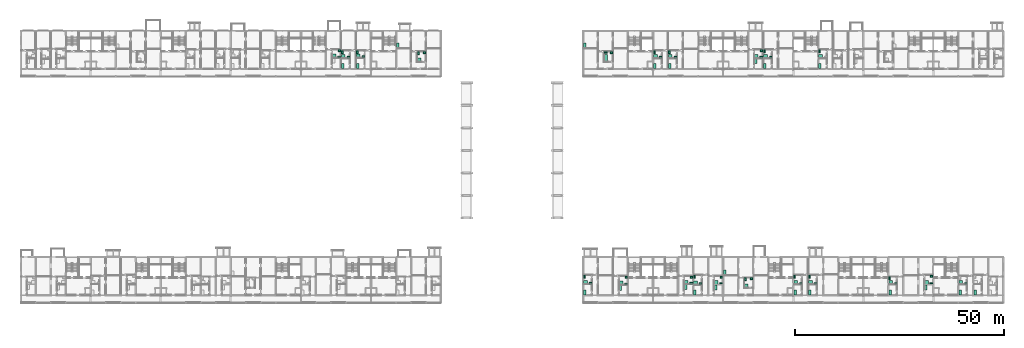
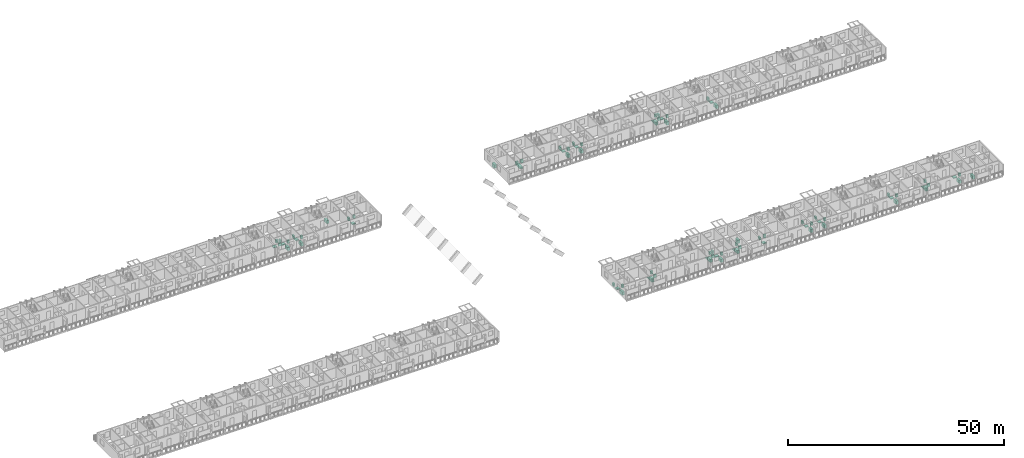
# One storey, part 97 of 98: 82 sanitary terminals.
"""IFC4 building model written with IfcOpenShell, lengths in metres."""

import ifcopenshell
import ifcopenshell.guid

model = None  # the IFC model being written
_history = None  # IfcOwnerHistory: only IFC2X3 demands one
_inside = {}  # id of a spatial element -> (the spatial element, [elements in it])
_under = {}  # id of a project, library or spatial element -> (it, [spatial elements below it])
_declared = {}  # id of a project -> (the project, [libraries it declares])
_typed = {}  # id of a type object -> (the type object, [elements of that type])
_made_of = {}  # id of a material, layer set ... -> (it, [elements and type objects made of it])


def new_model(schema):
    """Start an empty IFC model of exactly this schema.

    Asked for "IFC4X3", IfcOpenShell would pick the latest addendum, in which some entities
    have other attributes; the version numbers below select the first issue.
    IFC2X3 requires an IfcOwnerHistory on every rooted entity: one is made here for all.
    """
    global model, _history
    if schema == "IFC4X3":
        model = ifcopenshell.file(schema_version=(4, 3, 0, 0))
    else:
        model = ifcopenshell.file(schema=schema)
    _inside.clear()
    _under.clear()
    _declared.clear()
    _typed.clear()
    _made_of.clear()
    _history = None
    if model.schema == "IFC2X3":
        org = make("IfcOrganization", Name="unknown")
        user = make(
            "IfcPersonAndOrganization",
            ThePerson=make("IfcPerson", FamilyName="unknown"),
            TheOrganization=org,
        )
        app = make(
            "IfcApplication",
            ApplicationDeveloper=org,
            Version="unknown",
            ApplicationFullName="unknown",
            ApplicationIdentifier="unknown",
        )
        _history = make(
            "IfcOwnerHistory",
            OwningUser=user,
            OwningApplication=app,
            ChangeAction="ADDED",
            CreationDate=0,
        )
    return model


def make(cls, **values):
    """One entity of the class cls with the attributes given. An attribute that is None is left unset."""
    return model.create_entity(
        cls, **{name: value for name, value in values.items() if value is not None}
    )


def rooted(cls, **values):
    """An entity with a GlobalId (a new one), such as an element, a storey or a relation."""
    return make(cls, GlobalId=ifcopenshell.guid.new(), OwnerHistory=_history, **values)


def si_unit(unit_type, name, prefix=None):
    """IfcSIUnit, for example si_unit("LENGTHUNIT", "METRE", prefix="MILLI")."""
    return make("IfcSIUnit", UnitType=unit_type, Prefix=prefix, Name=name)


def assignment(units):
    """IfcUnitAssignment: the units of a project."""
    return None if units is None else make("IfcUnitAssignment", Units=units)


def point(xyz):
    """IfcCartesianPoint."""
    return None if xyz is None else make("IfcCartesianPoint", Coordinates=xyz)


def direction(xyz):
    """IfcDirection."""
    return None if xyz is None else make("IfcDirection", DirectionRatios=xyz)


def frame(location, z_axis=None, x_axis=None):
    """IfcAxis2Placement3D, a coordinate frame: its origin and axes. An axis left out is left unset."""
    return make(
        "IfcAxis2Placement3D",
        Location=point(location),
        Axis=direction(z_axis),
        RefDirection=direction(x_axis),
    )


def frame_2d(location, x_axis=None):
    """IfcAxis2Placement2D, a coordinate frame in the plane: its origin and x axis."""
    return make(
        "IfcAxis2Placement2D", Location=point(location), RefDirection=direction(x_axis)
    )


def origin():
    """The frame at (0, 0, 0) with its axes left unset."""
    return frame((0.0, 0.0, 0.0))


def origin_2d():
    """The frame at (0, 0) in the plane with its x axis left unset."""
    return frame_2d((0.0, 0.0))


def place(relative_to, where):
    """IfcLocalPlacement: puts the frame where relative to a parent placement (None: the world)."""
    return make(
        "IfcLocalPlacement", PlacementRelTo=relative_to, RelativePlacement=where
    )


def context(
    kind, dimensions, precision=None, world=None, true_north=None, identifier=None
):
    """IfcGeometricRepresentationContext, for example the 3D "Model" context."""
    return make(
        "IfcGeometricRepresentationContext",
        ContextIdentifier=identifier,
        ContextType=kind,
        CoordinateSpaceDimension=dimensions,
        Precision=precision,
        WorldCoordinateSystem=world,
        TrueNorth=true_north,
    )


def subcontext(parent, identifier, kind, view, scale=None):
    """IfcGeometricRepresentationSubContext, for example "Body" below "Model"."""
    return make(
        "IfcGeometricRepresentationSubContext",
        ContextIdentifier=identifier,
        ContextType=kind,
        ParentContext=parent,
        TargetScale=scale,
        TargetView=view,
    )


def project(units=None, contexts=None):
    """IfcProject with its units and contexts."""
    return rooted(
        "IfcProject",
        Name="project",
        RepresentationContexts=contexts,
        UnitsInContext=assignment(units),
    )


def spatial(cls, under=None, at=None, **own):
    """A site, building, storey or space (cls), placed at a placement, below another one or the project."""
    s = rooted(cls, ObjectPlacement=at, **own)
    if under is not None:
        _under.setdefault(under.id(), (under, []))[1].append(s)
    return s


def profile(cls, at=None, kind="AREA", **sizes):
    """A parametric profile (cls). Its sizes go by their IFC names, for example OverallWidth=200.0."""
    return make(cls, ProfileType=kind, Position=at, **sizes)


def rectangle(**sizes):
    """IfcRectangleProfileDef."""
    return profile("IfcRectangleProfileDef", **sizes)


def extrude(swept, where, along, depth):
    """IfcExtrudedAreaSolid: the profile swept, set in the frame where, extruded along a direction by depth."""
    return make(
        "IfcExtrudedAreaSolid",
        SweptArea=swept,
        Position=where,
        ExtrudedDirection=direction(along),
        Depth=depth,
    )


def shape(context_of_items, identifier, shape_type, items):
    """IfcShapeRepresentation: the items that make up one representation, for example the "Body"."""
    return make(
        "IfcShapeRepresentation",
        ContextOfItems=context_of_items,
        RepresentationIdentifier=identifier,
        RepresentationType=shape_type,
        Items=items,
    )


def made_of(thing, what):
    """Note that an element or type object is made of a material, layer set ...; save() writes the relation."""
    if what is not None:
        _made_of.setdefault(what.id(), (what, []))[1].append(thing)
    return thing


def element(
    cls,
    number,
    at=None,
    inside=None,
    cuts=None,
    type_object=None,
    material=None,
    context=None,
    identifier="Body",
    shape_type=None,
    held_by="IfcProductDefinitionShape",
    body=None,
    shapes=None,
    **own,
):
    """One element of the class cls, such as IfcWall. Its Tag is "e" and its number.

    at: its placement. inside: the storey or other place that contains it. cuts: it is an
    opening in that element (IfcRelVoidsElement). A single representation is given by context,
    identifier, shape_type and body (its items); several are given by shapes. held_by: the class
    of the entity that holds the representations. save() writes the other relations.
    """
    e = rooted(cls, Tag="e%d" % number, ObjectPlacement=at, **own)
    if body is not None:
        shapes = [shape(context, identifier, shape_type, body)]
    if shapes is not None:
        e.Representation = make(held_by, Representations=shapes)
    if inside is not None:
        _inside.setdefault(inside.id(), (inside, []))[1].append(e)
    if cuts is not None:
        rooted(
            "IfcRelVoidsElement", RelatingBuildingElement=cuts, RelatedOpeningElement=e
        )
    if type_object is not None:
        _typed.setdefault(type_object.id(), (type_object, []))[1].append(e)
    return made_of(e, material)


def aggregate(whole, parts):
    """IfcRelAggregates: a whole, such as a stair, and the parts it consists of."""
    return rooted("IfcRelAggregates", RelatingObject=whole, RelatedObjects=parts)


def save(model, path):
    """Write the relations noted so far, then the file.

    IfcRelAggregates (storeys below a building ...), IfcRelContainedInSpatialStructure (elements
    in a storey), IfcRelDefinesByType, IfcRelAssociatesMaterial and IfcRelDeclares: one each for
    every whole, place, type object, material and project.
    """
    for whole, parts in _under.values():
        aggregate(whole, parts)
    for where, things in _inside.values():
        rooted(
            "IfcRelContainedInSpatialStructure",
            RelatedElements=things,
            RelatingStructure=where,
        )
    for kind, things in _typed.values():
        rooted("IfcRelDefinesByType", RelatedObjects=things, RelatingType=kind)
    for what, things in _made_of.values():
        rooted("IfcRelAssociatesMaterial", RelatedObjects=things, RelatingMaterial=what)
    for by, libraries in _declared.values():
        rooted("IfcRelDeclares", RelatingContext=by, RelatedDefinitions=libraries)
    model.write(path)


model = new_model("IFC4")

# Units and contexts
model_context = context("Model", 3, precision=1e-05, world=origin(), true_north=direction((0.0, 1.0)))
body_context = subcontext(model_context, "Body", "Model", "MODEL_VIEW")
ifc_project = project(units=[si_unit("LENGTHUNIT", "METRE"), si_unit("AREAUNIT", "SQUARE_METRE"), si_unit("VOLUMEUNIT", "CUBIC_METRE"), si_unit("PLANEANGLEUNIT", "RADIAN"), si_unit("MASSUNIT", "GRAM", prefix="KILO")], contexts=[model_context])

# Site, building, storey
site_placement = place(None, origin())
site = spatial("IfcSite", under=ifc_project, at=site_placement, CompositionType="ELEMENT")
building_placement = place(site_placement, origin())
building = spatial("IfcBuilding", under=site, at=building_placement, Name="Ridgestep Commons", CompositionType="ELEMENT")
storey_placement = place(building_placement, frame((0.0, 0.0, 12.0)))
storey = spatial("IfcBuildingStorey", under=building, at=storey_placement, Name="L04", CompositionType="ELEMENT", Elevation=12.0)

# Sanitary terminals
sanitary_terminal_1_placement = place(storey_placement, frame((92.949951171875, 71.06005859375, 0.0), z_axis=(0.0, 0.0, 1.0), x_axis=(1.0, 0.0, 0.0)))
element("IfcSanitaryTerminal", 1, at=sanitary_terminal_1_placement, inside=storey, Name="Shower tray B5-04a", PredefinedType="SHOWER", context=body_context, shape_type="SweptSolid", body=[
    extrude(rectangle(XDim=0.89990234375, YDim=0.89990234375, at=origin_2d()), origin(), (0.0, 0.0, 1.0), 0.10009765625),
])
sanitary_terminal_2_placement = place(storey_placement, frame((92.699951171875, 71.949951171875, 0.0), z_axis=(0.0, 0.0, 1.0), x_axis=(1.0, 0.0, 0.0)))
element("IfcSanitaryTerminal", 2, at=sanitary_terminal_2_placement, inside=storey, Name="WC B5-04a", PredefinedType="TOILETPAN", context=body_context, shape_type="SweptSolid", body=[
    extrude(rectangle(XDim=0.39990234375, YDim=0.699951171875, at=origin_2d()), origin(), (0.0, 0.0, 1.0), 0.800048828125),
])
sanitary_terminal_3_placement = place(storey_placement, frame((94.1650390625, 70.8349609375, 0.0), z_axis=(0.0, 0.0, 1.0), x_axis=(1.0, 0.0, 0.0)))
element("IfcSanitaryTerminal", 3, at=sanitary_terminal_3_placement, inside=storey, Name="Basin B5-04a", PredefinedType="WASHHANDBASIN", context=body_context, shape_type="SweptSolid", body=[
    extrude(rectangle(XDim=0.550048828125, YDim=0.449951171875, at=origin_2d()), origin(), (0.0, 0.0, 1.0), 0.85009765625),
])
sanitary_terminal_4_placement = place(storey_placement, frame((92.800048828125, 68.60009765625, 0.0), z_axis=(0.0, 0.0, 1.0), x_axis=(1.0, 0.0, 0.0)))
element("IfcSanitaryTerminal", 4, at=sanitary_terminal_4_placement, inside=storey, Name="Kitchen sink B5-04a", PredefinedType="SINK", context=body_context, shape_type="SweptSolid", body=[
    extrude(rectangle(XDim=0.60009765625, YDim=1.199951171875, at=origin_2d()), origin(), (0.0, 0.0, 1.0), 0.89990234375),
])
sanitary_terminal_5_placement = place(storey_placement, frame((89.35009765625, 70.9599609375, 0.0), z_axis=(0.0, 0.0, 1.0), x_axis=(1.0, 0.0, 0.0)))
element("IfcSanitaryTerminal", 5, at=sanitary_terminal_5_placement, inside=storey, Name="Shower tray B5-04b", PredefinedType="SHOWER", context=body_context, shape_type="SweptSolid", body=[
    extrude(rectangle(XDim=0.89990234375, YDim=0.89990234375, at=origin_2d()), origin(), (0.0, 0.0, 1.0), 0.10009765625),
])
sanitary_terminal_6_placement = place(storey_placement, frame((89.10009765625, 71.949951171875, 0.0), z_axis=(0.0, 0.0, 1.0), x_axis=(1.0, 0.0, 0.0)))
element("IfcSanitaryTerminal", 6, at=sanitary_terminal_6_placement, inside=storey, Name="WC B5-04b", PredefinedType="TOILETPAN", context=body_context, shape_type="SweptSolid", body=[
    extrude(rectangle(XDim=0.39990234375, YDim=0.699951171875, at=origin_2d()), origin(), (0.0, 0.0, 1.0), 0.800048828125),
])
sanitary_terminal_7_placement = place(storey_placement, frame((90.614990234375, 70.735107421875, 0.0), z_axis=(0.0, 0.0, 1.0), x_axis=(1.0, 0.0, 0.0)))
element("IfcSanitaryTerminal", 7, at=sanitary_terminal_7_placement, inside=storey, Name="Basin B5-04b", PredefinedType="WASHHANDBASIN", context=body_context, shape_type="SweptSolid", body=[
    extrude(rectangle(XDim=0.550048828125, YDim=0.449951171875, at=origin_2d()), origin(), (0.0, 0.0, 1.0), 0.85009765625),
])
sanitary_terminal_8_placement = place(storey_placement, frame((89.199951171875, 68.60009765625, 0.0), z_axis=(0.0, 0.0, 1.0), x_axis=(1.0, 0.0, 0.0)))
element("IfcSanitaryTerminal", 8, at=sanitary_terminal_8_placement, inside=storey, Name="Kitchen sink B5-04b", PredefinedType="SINK", context=body_context, shape_type="SweptSolid", body=[
    extrude(rectangle(XDim=0.60009765625, YDim=1.199951171875, at=origin_2d()), origin(), (0.0, 0.0, 1.0), 0.89990234375),
])
sanitary_terminal_9_placement = place(storey_placement, frame((87.18505859375, 71.06005859375, 0.0), z_axis=(0.0, 0.0, 1.0), x_axis=(1.0, 0.0, 0.0)))
element("IfcSanitaryTerminal", 9, at=sanitary_terminal_9_placement, inside=storey, Name="Shower tray B5-04c", PredefinedType="SHOWER", context=body_context, shape_type="SweptSolid", body=[
    extrude(rectangle(XDim=0.89990234375, YDim=0.89990234375, at=origin_2d()), origin(), (0.0, 0.0, 1.0), 0.10009765625),
])
sanitary_terminal_10_placement = place(storey_placement, frame((88.35009765625, 70.81005859375, 0.0), z_axis=(0.0, 0.0, 1.0), x_axis=(1.0, 0.0, 0.0)))
element("IfcSanitaryTerminal", 10, at=sanitary_terminal_10_placement, inside=storey, Name="WC B5-04c", PredefinedType="TOILETPAN", context=body_context, shape_type="SweptSolid", body=[
    extrude(rectangle(XDim=0.699951171875, YDim=0.39990234375, at=origin_2d()), origin(), (0.0, 0.0, 1.0), 0.800048828125),
])
sanitary_terminal_11_placement = place(storey_placement, frame((88.425048828125, 72.27490234375, 0.0), z_axis=(0.0, 0.0, 1.0), x_axis=(1.0, 0.0, 0.0)))
element("IfcSanitaryTerminal", 11, at=sanitary_terminal_11_placement, inside=storey, Name="Basin B5-04c", PredefinedType="WASHHANDBASIN", context=body_context, shape_type="SweptSolid", body=[
    extrude(rectangle(XDim=0.550048828125, YDim=0.449951171875, at=origin_2d()), origin(), (0.0, 0.0, 1.0), 0.85009765625),
])
sanitary_terminal_12_placement = place(storey_placement, frame((107.56005859375, 70.110107421875, 0.0), z_axis=(0.0, 0.0, 1.0), x_axis=(1.0, 0.0, 0.0)))
element("IfcSanitaryTerminal", 12, at=sanitary_terminal_12_placement, inside=storey, Name="Shower tray B6-04a", PredefinedType="SHOWER", context=body_context, shape_type="SweptSolid", body=[
    extrude(rectangle(XDim=0.89990234375, YDim=0.89990234375, at=origin_2d()), origin(), (0.0, 0.0, 1.0), 0.10009765625),
])
sanitary_terminal_13_placement = place(storey_placement, frame((107.31005859375, 71.7099609375, 0.0), z_axis=(0.0, 0.0, 1.0), x_axis=(1.0, 0.0, 0.0)))
element("IfcSanitaryTerminal", 13, at=sanitary_terminal_13_placement, inside=storey, Name="WC B6-04a", PredefinedType="TOILETPAN", context=body_context, shape_type="SweptSolid", body=[
    extrude(rectangle(XDim=0.39990234375, YDim=0.699951171875, at=origin_2d()), origin(), (0.0, 0.0, 1.0), 0.800048828125),
])
sanitary_terminal_14_placement = place(storey_placement, frame((108.824951171875, 71.8349609375, 0.0), z_axis=(0.0, 0.0, 1.0), x_axis=(1.0, 0.0, 0.0)))
element("IfcSanitaryTerminal", 14, at=sanitary_terminal_14_placement, inside=storey, Name="Basin B6-04a", PredefinedType="WASHHANDBASIN", context=body_context, shape_type="SweptSolid", body=[
    extrude(rectangle(XDim=0.550048828125, YDim=0.449951171875, at=origin_2d()), origin(), (0.0, 0.0, 1.0), 0.85009765625),
])
sanitary_terminal_15_placement = place(storey_placement, frame((102.425048828125, 73.510009765625, 0.0), z_axis=(0.0, 0.0, 1.0), x_axis=(1.0, 0.0, 0.0)))
element("IfcSanitaryTerminal", 15, at=sanitary_terminal_15_placement, inside=storey, Name="Kitchen sink B6-04a", PredefinedType="SINK", context=body_context, shape_type="SweptSolid", body=[
    extrude(rectangle(XDim=0.60009765625, YDim=1.199951171875, at=origin_2d()), origin(), (0.0, 0.0, 1.0), 0.89990234375),
])
sanitary_terminal_16_placement = place(storey_placement, frame((152.284912109375, 70.510009765625, 0.0), z_axis=(0.0, 0.0, 1.0), x_axis=(1.0, 0.0, 0.0)))
element("IfcSanitaryTerminal", 16, at=sanitary_terminal_16_placement, inside=storey, Name="Bath C1-04a", PredefinedType="BATH", context=body_context, shape_type="SweptSolid", body=[
    extrude(rectangle(XDim=0.75, YDim=1.699951171875, at=origin_2d()), origin(), (0.0, 0.0, 1.0), 0.550048828125),
])
sanitary_terminal_17_placement = place(storey_placement, frame((152.260009765625, 71.860107421875, 0.0), z_axis=(0.0, 0.0, 1.0), x_axis=(1.0, 0.0, 0.0)))
element("IfcSanitaryTerminal", 17, at=sanitary_terminal_17_placement, inside=storey, Name="WC C1-04a", PredefinedType="TOILETPAN", context=body_context, shape_type="SweptSolid", body=[
    extrude(rectangle(XDim=0.699951171875, YDim=0.39990234375, at=origin_2d()), origin(), (0.0, 0.0, 1.0), 0.800048828125),
])
sanitary_terminal_18_placement = place(storey_placement, frame((153.625, 71.8349609375, 0.0), z_axis=(0.0, 0.0, 1.0), x_axis=(1.0, 0.0, 0.0)))
element("IfcSanitaryTerminal", 18, at=sanitary_terminal_18_placement, inside=storey, Name="Basin C1-04a", PredefinedType="WASHHANDBASIN", context=body_context, shape_type="SweptSolid", body=[
    extrude(rectangle(XDim=0.550048828125, YDim=0.449951171875, at=origin_2d()), origin(), (0.0, 0.0, 1.0), 0.85009765625),
])
sanitary_terminal_19_placement = place(storey_placement, frame((147.25, 73.510009765625, 0.0), z_axis=(0.0, 0.0, 1.0), x_axis=(1.0, 0.0, 0.0)))
element("IfcSanitaryTerminal", 19, at=sanitary_terminal_19_placement, inside=storey, Name="Kitchen sink C1-04a", PredefinedType="SINK", context=body_context, shape_type="SweptSolid", body=[
    extrude(rectangle(XDim=0.60009765625, YDim=1.199951171875, at=origin_2d()), origin(), (0.0, 0.0, 1.0), 0.89990234375),
])
sanitary_terminal_20_placement = place(storey_placement, frame((164.199951171875, 70.9599609375, 0.0), z_axis=(0.0, 0.0, 1.0), x_axis=(1.0, 0.0, 0.0)))
element("IfcSanitaryTerminal", 20, at=sanitary_terminal_20_placement, inside=storey, Name="Shower tray C2-04a", PredefinedType="SHOWER", context=body_context, shape_type="SweptSolid", body=[
    extrude(rectangle(XDim=0.89990234375, YDim=0.89990234375, at=origin_2d()), origin(), (0.0, 0.0, 1.0), 0.10009765625),
])
sanitary_terminal_21_placement = place(storey_placement, frame((163.949951171875, 71.949951171875, 0.0), z_axis=(0.0, 0.0, 1.0), x_axis=(1.0, 0.0, 0.0)))
element("IfcSanitaryTerminal", 21, at=sanitary_terminal_21_placement, inside=storey, Name="WC C2-04a", PredefinedType="TOILETPAN", context=body_context, shape_type="SweptSolid", body=[
    extrude(rectangle(XDim=0.39990234375, YDim=0.699951171875, at=origin_2d()), origin(), (0.0, 0.0, 1.0), 0.800048828125),
])
sanitary_terminal_22_placement = place(storey_placement, frame((165.4150390625, 70.735107421875, 0.0), z_axis=(0.0, 0.0, 1.0), x_axis=(1.0, 0.0, 0.0)))
element("IfcSanitaryTerminal", 22, at=sanitary_terminal_22_placement, inside=storey, Name="Basin C2-04a", PredefinedType="WASHHANDBASIN", context=body_context, shape_type="SweptSolid", body=[
    extrude(rectangle(XDim=0.550048828125, YDim=0.449951171875, at=origin_2d()), origin(), (0.0, 0.0, 1.0), 0.85009765625),
])
sanitary_terminal_23_placement = place(storey_placement, frame((164.050048828125, 68.60009765625, 0.0), z_axis=(0.0, 0.0, 1.0), x_axis=(1.0, 0.0, 0.0)))
element("IfcSanitaryTerminal", 23, at=sanitary_terminal_23_placement, inside=storey, Name="Kitchen sink C2-04a", PredefinedType="SINK", context=body_context, shape_type="SweptSolid", body=[
    extrude(rectangle(XDim=0.60009765625, YDim=1.199951171875, at=origin_2d()), origin(), (0.0, 0.0, 1.0), 0.89990234375),
])
sanitary_terminal_24_placement = place(storey_placement, frame((167.75, 70.9599609375, 0.0), z_axis=(0.0, 0.0, 1.0), x_axis=(1.0, 0.0, 0.0)))
element("IfcSanitaryTerminal", 24, at=sanitary_terminal_24_placement, inside=storey, Name="Shower tray C2-04b", PredefinedType="SHOWER", context=body_context, shape_type="SweptSolid", body=[
    extrude(rectangle(XDim=0.89990234375, YDim=0.89990234375, at=origin_2d()), origin(), (0.0, 0.0, 1.0), 0.10009765625),
])
sanitary_terminal_25_placement = place(storey_placement, frame((167.5, 71.949951171875, 0.0), z_axis=(0.0, 0.0, 1.0), x_axis=(1.0, 0.0, 0.0)))
element("IfcSanitaryTerminal", 25, at=sanitary_terminal_25_placement, inside=storey, Name="WC C2-04b", PredefinedType="TOILETPAN", context=body_context, shape_type="SweptSolid", body=[
    extrude(rectangle(XDim=0.39990234375, YDim=0.699951171875, at=origin_2d()), origin(), (0.0, 0.0, 1.0), 0.800048828125),
])
sanitary_terminal_26_placement = place(storey_placement, frame((169.014892578125, 70.735107421875, 0.0), z_axis=(0.0, 0.0, 1.0), x_axis=(1.0, 0.0, 0.0)))
element("IfcSanitaryTerminal", 26, at=sanitary_terminal_26_placement, inside=storey, Name="Basin C2-04b", PredefinedType="WASHHANDBASIN", context=body_context, shape_type="SweptSolid", body=[
    extrude(rectangle(XDim=0.550048828125, YDim=0.449951171875, at=origin_2d()), origin(), (0.0, 0.0, 1.0), 0.85009765625),
])
sanitary_terminal_27_placement = place(storey_placement, frame((167.60009765625, 68.60009765625, 0.0), z_axis=(0.0, 0.0, 1.0), x_axis=(1.0, 0.0, 0.0)))
element("IfcSanitaryTerminal", 27, at=sanitary_terminal_27_placement, inside=storey, Name="Kitchen sink C2-04b", PredefinedType="SINK", context=body_context, shape_type="SweptSolid", body=[
    extrude(rectangle(XDim=0.60009765625, YDim=1.199951171875, at=origin_2d()), origin(), (0.0, 0.0, 1.0), 0.89990234375),
])
sanitary_terminal_28_placement = place(storey_placement, frame((190.550048828125, 70.9599609375, 0.0), z_axis=(0.0, 0.0, 1.0), x_axis=(1.0, 0.0, 0.0)))
element("IfcSanitaryTerminal", 28, at=sanitary_terminal_28_placement, inside=storey, Name="Shower tray C3-04a", PredefinedType="SHOWER", context=body_context, shape_type="SweptSolid", body=[
    extrude(rectangle(XDim=0.89990234375, YDim=0.89990234375, at=origin_2d()), origin(), (0.0, 0.0, 1.0), 0.10009765625),
])
sanitary_terminal_29_placement = place(storey_placement, frame((190.300048828125, 72.14990234375, 0.0), z_axis=(0.0, 0.0, 1.0), x_axis=(1.0, 0.0, 0.0)))
element("IfcSanitaryTerminal", 29, at=sanitary_terminal_29_placement, inside=storey, Name="WC C3-04a", PredefinedType="TOILETPAN", context=body_context, shape_type="SweptSolid", body=[
    extrude(rectangle(XDim=0.39990234375, YDim=0.699951171875, at=origin_2d()), origin(), (0.0, 0.0, 1.0), 0.800048828125),
])
sanitary_terminal_30_placement = place(storey_placement, frame((191.81494140625, 70.735107421875, 0.0), z_axis=(0.0, 0.0, 1.0), x_axis=(1.0, 0.0, 0.0)))
element("IfcSanitaryTerminal", 30, at=sanitary_terminal_30_placement, inside=storey, Name="Basin C3-04a", PredefinedType="WASHHANDBASIN", context=body_context, shape_type="SweptSolid", body=[
    extrude(rectangle(XDim=0.550048828125, YDim=0.449951171875, at=origin_2d()), origin(), (0.0, 0.0, 1.0), 0.85009765625),
])
sanitary_terminal_31_placement = place(storey_placement, frame((190.39990234375, 68.60009765625, 0.0), z_axis=(0.0, 0.0, 1.0), x_axis=(1.0, 0.0, 0.0)))
element("IfcSanitaryTerminal", 31, at=sanitary_terminal_31_placement, inside=storey, Name="Kitchen sink C3-04a", PredefinedType="SINK", context=body_context, shape_type="SweptSolid", body=[
    extrude(rectangle(XDim=0.60009765625, YDim=1.199951171875, at=origin_2d()), origin(), (0.0, 0.0, 1.0), 0.89990234375),
])
sanitary_terminal_32_placement = place(storey_placement, frame((188.385009765625, 70.9599609375, 0.0), z_axis=(0.0, 0.0, 1.0), x_axis=(1.0, 0.0, 0.0)))
element("IfcSanitaryTerminal", 32, at=sanitary_terminal_32_placement, inside=storey, Name="Shower tray C3-04b", PredefinedType="SHOWER", context=body_context, shape_type="SweptSolid", body=[
    extrude(rectangle(XDim=0.89990234375, YDim=0.89990234375, at=origin_2d()), origin(), (0.0, 0.0, 1.0), 0.10009765625),
])
sanitary_terminal_33_placement = place(storey_placement, frame((189.550048828125, 70.7099609375, 0.0), z_axis=(0.0, 0.0, 1.0), x_axis=(1.0, 0.0, 0.0)))
element("IfcSanitaryTerminal", 33, at=sanitary_terminal_33_placement, inside=storey, Name="WC C3-04b", PredefinedType="TOILETPAN", context=body_context, shape_type="SweptSolid", body=[
    extrude(rectangle(XDim=0.699951171875, YDim=0.39990234375, at=origin_2d()), origin(), (0.0, 0.0, 1.0), 0.800048828125),
])
sanitary_terminal_34_placement = place(storey_placement, frame((189.625, 72.27490234375, 0.0), z_axis=(0.0, 0.0, 1.0), x_axis=(1.0, 0.0, 0.0)))
element("IfcSanitaryTerminal", 34, at=sanitary_terminal_34_placement, inside=storey, Name="Basin C3-04b", PredefinedType="WASHHANDBASIN", context=body_context, shape_type="SweptSolid", body=[
    extrude(rectangle(XDim=0.550048828125, YDim=0.449951171875, at=origin_2d()), origin(), (0.0, 0.0, 1.0), 0.85009765625),
])
sanitary_terminal_35_placement = place(storey_placement, frame((188.235107421875, 69.800048828125, 0.0), z_axis=(0.0, 0.0, 1.0), x_axis=(1.0, 0.0, 0.0)))
element("IfcSanitaryTerminal", 35, at=sanitary_terminal_35_placement, inside=storey, Name="Kitchen sink C3-04b", PredefinedType="SINK", context=body_context, shape_type="SweptSolid", body=[
    extrude(rectangle(XDim=0.60009765625, YDim=1.199951171875, at=origin_2d()), origin(), (0.0, 0.0, 1.0), 0.89990234375),
])
sanitary_terminal_36_placement = place(storey_placement, frame((203.77490234375, 70.9599609375, 0.0), z_axis=(0.0, 0.0, 1.0), x_axis=(1.0, 0.0, 0.0)))
element("IfcSanitaryTerminal", 36, at=sanitary_terminal_36_placement, inside=storey, Name="Shower tray C4-04c", PredefinedType="SHOWER", context=body_context, shape_type="SweptSolid", body=[
    extrude(rectangle(XDim=0.89990234375, YDim=0.89990234375, at=origin_2d()), origin(), (0.0, 0.0, 1.0), 0.10009765625),
])
sanitary_terminal_37_placement = place(storey_placement, frame((203.52490234375, 72.14990234375, 0.0), z_axis=(0.0, 0.0, 1.0), x_axis=(1.0, 0.0, 0.0)))
element("IfcSanitaryTerminal", 37, at=sanitary_terminal_37_placement, inside=storey, Name="WC C4-04c", PredefinedType="TOILETPAN", context=body_context, shape_type="SweptSolid", body=[
    extrude(rectangle(XDim=0.39990234375, YDim=0.699951171875, at=origin_2d()), origin(), (0.0, 0.0, 1.0), 0.800048828125),
])
sanitary_terminal_38_placement = place(storey_placement, frame((203.625, 68.60009765625, 0.0), z_axis=(0.0, 0.0, 1.0), x_axis=(1.0, 0.0, 0.0)))
element("IfcSanitaryTerminal", 38, at=sanitary_terminal_38_placement, inside=storey, Name="Kitchen sink C4-04c", PredefinedType="SINK", context=body_context, shape_type="SweptSolid", body=[
    extrude(rectangle(XDim=0.60009765625, YDim=1.199951171875, at=origin_2d()), origin(), (0.0, 0.0, 1.0), 0.89990234375),
])
sanitary_terminal_39_placement = place(storey_placement, frame((147.39990234375, 16.81005859375, 0.0), z_axis=(0.0, 0.0, 1.0), x_axis=(1.0, 0.0, 0.0)))
element("IfcSanitaryTerminal", 39, at=sanitary_terminal_39_placement, inside=storey, Name="Shower tray D1-04a", PredefinedType="SHOWER", context=body_context, shape_type="SweptSolid", body=[
    extrude(rectangle(XDim=0.89990234375, YDim=0.89990234375, at=origin_2d()), origin(), (0.0, 0.0, 1.0), 0.10009765625),
])
sanitary_terminal_40_placement = place(storey_placement, frame((147.14990234375, 18.10009765625, 0.0), z_axis=(0.0, 0.0, 1.0), x_axis=(1.0, 0.0, 0.0)))
element("IfcSanitaryTerminal", 40, at=sanitary_terminal_40_placement, inside=storey, Name="WC D1-04a", PredefinedType="TOILETPAN", context=body_context, shape_type="SweptSolid", body=[
    extrude(rectangle(XDim=0.39990234375, YDim=0.699951171875, at=origin_2d()), origin(), (0.0, 0.0, 1.0), 0.800048828125),
])
sanitary_terminal_41_placement = place(storey_placement, frame((148.614990234375, 16.5849609375, 0.0), z_axis=(0.0, 0.0, 1.0), x_axis=(1.0, 0.0, 0.0)))
element("IfcSanitaryTerminal", 41, at=sanitary_terminal_41_placement, inside=storey, Name="Basin D1-04a", PredefinedType="WASHHANDBASIN", context=body_context, shape_type="SweptSolid", body=[
    extrude(rectangle(XDim=0.550048828125, YDim=0.449951171875, at=origin_2d()), origin(), (0.0, 0.0, 1.0), 0.85009765625),
])
sanitary_terminal_42_placement = place(storey_placement, frame((147.25, 14.35009765625, 0.0), z_axis=(0.0, 0.0, 1.0), x_axis=(1.0, 0.0, 0.0)))
element("IfcSanitaryTerminal", 42, at=sanitary_terminal_42_placement, inside=storey, Name="Kitchen sink D1-04a", PredefinedType="SINK", context=body_context, shape_type="SweptSolid", body=[
    extrude(rectangle(XDim=0.60009765625, YDim=1.199951171875, at=origin_2d()), origin(), (0.0, 0.0, 1.0), 0.89990234375),
])
sanitary_terminal_43_placement = place(storey_placement, frame((155.9599609375, 16.610107421875, 0.0), z_axis=(0.0, 0.0, 1.0), x_axis=(1.0, 0.0, 0.0)))
element("IfcSanitaryTerminal", 43, at=sanitary_terminal_43_placement, inside=storey, Name="Shower tray D1-04b", PredefinedType="SHOWER", context=body_context, shape_type="SweptSolid", body=[
    extrude(rectangle(XDim=0.89990234375, YDim=0.89990234375, at=origin_2d()), origin(), (0.0, 0.0, 1.0), 0.10009765625),
])
sanitary_terminal_44_placement = place(storey_placement, frame((157.125, 16.360107421875, 0.0), z_axis=(0.0, 0.0, 1.0), x_axis=(1.0, 0.0, 0.0)))
element("IfcSanitaryTerminal", 44, at=sanitary_terminal_44_placement, inside=storey, Name="WC D1-04b", PredefinedType="TOILETPAN", context=body_context, shape_type="SweptSolid", body=[
    extrude(rectangle(XDim=0.699951171875, YDim=0.39990234375, at=origin_2d()), origin(), (0.0, 0.0, 1.0), 0.800048828125),
])
sanitary_terminal_45_placement = place(storey_placement, frame((157.199951171875, 18.02490234375, 0.0), z_axis=(0.0, 0.0, 1.0), x_axis=(1.0, 0.0, 0.0)))
element("IfcSanitaryTerminal", 45, at=sanitary_terminal_45_placement, inside=storey, Name="Basin D1-04b", PredefinedType="WASHHANDBASIN", context=body_context, shape_type="SweptSolid", body=[
    extrude(rectangle(XDim=0.550048828125, YDim=0.449951171875, at=origin_2d()), origin(), (0.0, 0.0, 1.0), 0.85009765625),
])
sanitary_terminal_46_placement = place(storey_placement, frame((155.81005859375, 15.449951171875, 0.0), z_axis=(0.0, 0.0, 1.0), x_axis=(1.0, 0.0, 0.0)))
element("IfcSanitaryTerminal", 46, at=sanitary_terminal_46_placement, inside=storey, Name="Kitchen sink D1-04b", PredefinedType="SINK", context=body_context, shape_type="SweptSolid", body=[
    extrude(rectangle(XDim=0.60009765625, YDim=1.199951171875, at=origin_2d()), origin(), (0.0, 0.0, 1.0), 0.89990234375),
])
sanitary_terminal_47_placement = place(storey_placement, frame((178.784912109375, 16.7099609375, 0.0), z_axis=(0.0, 0.0, 1.0), x_axis=(1.0, 0.0, 0.0)))
element("IfcSanitaryTerminal", 47, at=sanitary_terminal_47_placement, inside=storey, Name="Shower tray D2-04a", PredefinedType="SHOWER", context=body_context, shape_type="SweptSolid", body=[
    extrude(rectangle(XDim=0.89990234375, YDim=0.89990234375, at=origin_2d()), origin(), (0.0, 0.0, 1.0), 0.10009765625),
])
sanitary_terminal_48_placement = place(storey_placement, frame((179.89990234375, 16.4599609375, 0.0), z_axis=(0.0, 0.0, 1.0), x_axis=(1.0, 0.0, 0.0)))
element("IfcSanitaryTerminal", 48, at=sanitary_terminal_48_placement, inside=storey, Name="WC D2-04a", PredefinedType="TOILETPAN", context=body_context, shape_type="SweptSolid", body=[
    extrude(rectangle(XDim=0.699951171875, YDim=0.39990234375, at=origin_2d()), origin(), (0.0, 0.0, 1.0), 0.800048828125),
])
sanitary_terminal_49_placement = place(storey_placement, frame((179.97509765625, 18.02490234375, 0.0), z_axis=(0.0, 0.0, 1.0), x_axis=(1.0, 0.0, 0.0)))
element("IfcSanitaryTerminal", 49, at=sanitary_terminal_49_placement, inside=storey, Name="Basin D2-04a", PredefinedType="WASHHANDBASIN", context=body_context, shape_type="SweptSolid", body=[
    extrude(rectangle(XDim=0.550048828125, YDim=0.449951171875, at=origin_2d()), origin(), (0.0, 0.0, 1.0), 0.85009765625),
])
sanitary_terminal_50_placement = place(storey_placement, frame((178.635009765625, 15.550048828125, 0.0), z_axis=(0.0, 0.0, 1.0), x_axis=(1.0, 0.0, 0.0)))
element("IfcSanitaryTerminal", 50, at=sanitary_terminal_50_placement, inside=storey, Name="Kitchen sink D2-04a", PredefinedType="SINK", context=body_context, shape_type="SweptSolid", body=[
    extrude(rectangle(XDim=0.60009765625, YDim=1.199951171875, at=origin_2d()), origin(), (0.0, 0.0, 1.0), 0.89990234375),
])
sanitary_terminal_51_placement = place(storey_placement, frame((173.77490234375, 16.610107421875, 0.0), z_axis=(0.0, 0.0, 1.0), x_axis=(1.0, 0.0, 0.0)))
element("IfcSanitaryTerminal", 51, at=sanitary_terminal_51_placement, inside=storey, Name="Shower tray D2-04b", PredefinedType="SHOWER", context=body_context, shape_type="SweptSolid", body=[
    extrude(rectangle(XDim=0.89990234375, YDim=0.89990234375, at=origin_2d()), origin(), (0.0, 0.0, 1.0), 0.10009765625),
])
sanitary_terminal_52_placement = place(storey_placement, frame((173.52490234375, 18.10009765625, 0.0), z_axis=(0.0, 0.0, 1.0), x_axis=(1.0, 0.0, 0.0)))
element("IfcSanitaryTerminal", 52, at=sanitary_terminal_52_placement, inside=storey, Name="WC D2-04b", PredefinedType="TOILETPAN", context=body_context, shape_type="SweptSolid", body=[
    extrude(rectangle(XDim=0.39990234375, YDim=0.699951171875, at=origin_2d()), origin(), (0.0, 0.0, 1.0), 0.800048828125),
])
sanitary_terminal_53_placement = place(storey_placement, frame((174.989990234375, 16.385009765625, 0.0), z_axis=(0.0, 0.0, 1.0), x_axis=(1.0, 0.0, 0.0)))
element("IfcSanitaryTerminal", 53, at=sanitary_terminal_53_placement, inside=storey, Name="Basin D2-04b", PredefinedType="WASHHANDBASIN", context=body_context, shape_type="SweptSolid", body=[
    extrude(rectangle(XDim=0.550048828125, YDim=0.449951171875, at=origin_2d()), origin(), (0.0, 0.0, 1.0), 0.85009765625),
])
sanitary_terminal_54_placement = place(storey_placement, frame((173.625, 14.35009765625, 0.0), z_axis=(0.0, 0.0, 1.0), x_axis=(1.0, 0.0, 0.0)))
element("IfcSanitaryTerminal", 54, at=sanitary_terminal_54_placement, inside=storey, Name="Kitchen sink D2-04b", PredefinedType="SINK", context=body_context, shape_type="SweptSolid", body=[
    extrude(rectangle(XDim=0.60009765625, YDim=1.199951171875, at=origin_2d()), origin(), (0.0, 0.0, 1.0), 0.89990234375),
])
sanitary_terminal_55_placement = place(storey_placement, frame((171.5849609375, 16.81005859375, 0.0), z_axis=(0.0, 0.0, 1.0), x_axis=(1.0, 0.0, 0.0)))
element("IfcSanitaryTerminal", 55, at=sanitary_terminal_55_placement, inside=storey, Name="Shower tray D2-04c", PredefinedType="SHOWER", context=body_context, shape_type="SweptSolid", body=[
    extrude(rectangle(XDim=0.89990234375, YDim=0.89990234375, at=origin_2d()), origin(), (0.0, 0.0, 1.0), 0.10009765625),
])
sanitary_terminal_56_placement = place(storey_placement, frame((172.72509765625, 16.56005859375, 0.0), z_axis=(0.0, 0.0, 1.0), x_axis=(1.0, 0.0, 0.0)))
element("IfcSanitaryTerminal", 56, at=sanitary_terminal_56_placement, inside=storey, Name="WC D2-04c", PredefinedType="TOILETPAN", context=body_context, shape_type="SweptSolid", body=[
    extrude(rectangle(XDim=0.699951171875, YDim=0.39990234375, at=origin_2d()), origin(), (0.0, 0.0, 1.0), 0.800048828125),
])
sanitary_terminal_57_placement = place(storey_placement, frame((172.800048828125, 18.02490234375, 0.0), z_axis=(0.0, 0.0, 1.0), x_axis=(1.0, 0.0, 0.0)))
element("IfcSanitaryTerminal", 57, at=sanitary_terminal_57_placement, inside=storey, Name="Basin D2-04c", PredefinedType="WASHHANDBASIN", context=body_context, shape_type="SweptSolid", body=[
    extrude(rectangle(XDim=0.550048828125, YDim=0.449951171875, at=origin_2d()), origin(), (0.0, 0.0, 1.0), 0.85009765625),
])
sanitary_terminal_58_placement = place(storey_placement, frame((171.43505859375, 15.64990234375, 0.0), z_axis=(0.0, 0.0, 1.0), x_axis=(1.0, 0.0, 0.0)))
element("IfcSanitaryTerminal", 58, at=sanitary_terminal_58_placement, inside=storey, Name="Kitchen sink D2-04c", PredefinedType="SINK", context=body_context, shape_type="SweptSolid", body=[
    extrude(rectangle(XDim=0.60009765625, YDim=1.199951171875, at=origin_2d()), origin(), (0.0, 0.0, 1.0), 0.89990234375),
])
sanitary_terminal_59_placement = place(storey_placement, frame((185.985107421875, 15.860107421875, 0.0), z_axis=(0.0, 0.0, 1.0), x_axis=(1.0, 0.0, 0.0)))
element("IfcSanitaryTerminal", 59, at=sanitary_terminal_59_placement, inside=storey, Name="Shower tray D3-04a", PredefinedType="SHOWER", context=body_context, shape_type="SweptSolid", body=[
    extrude(rectangle(XDim=0.89990234375, YDim=0.89990234375, at=origin_2d()), origin(), (0.0, 0.0, 1.0), 0.10009765625),
])
sanitary_terminal_60_placement = place(storey_placement, frame((185.735107421875, 17.4599609375, 0.0), z_axis=(0.0, 0.0, 1.0), x_axis=(1.0, 0.0, 0.0)))
element("IfcSanitaryTerminal", 60, at=sanitary_terminal_60_placement, inside=storey, Name="WC D3-04a", PredefinedType="TOILETPAN", context=body_context, shape_type="SweptSolid", body=[
    extrude(rectangle(XDim=0.39990234375, YDim=0.699951171875, at=origin_2d()), origin(), (0.0, 0.0, 1.0), 0.800048828125),
])
sanitary_terminal_61_placement = place(storey_placement, frame((187.199951171875, 17.5849609375, 0.0), z_axis=(0.0, 0.0, 1.0), x_axis=(1.0, 0.0, 0.0)))
element("IfcSanitaryTerminal", 61, at=sanitary_terminal_61_placement, inside=storey, Name="Basin D3-04a", PredefinedType="WASHHANDBASIN", context=body_context, shape_type="SweptSolid", body=[
    extrude(rectangle(XDim=0.550048828125, YDim=0.449951171875, at=origin_2d()), origin(), (0.0, 0.0, 1.0), 0.85009765625),
])
sanitary_terminal_62_placement = place(storey_placement, frame((180.85009765625, 19.06005859375, 0.0), z_axis=(0.0, 0.0, 1.0), x_axis=(1.0, 0.0, 0.0)))
element("IfcSanitaryTerminal", 62, at=sanitary_terminal_62_placement, inside=storey, Name="Kitchen sink D3-04a", PredefinedType="SINK", context=body_context, shape_type="SweptSolid", body=[
    extrude(rectangle(XDim=0.60009765625, YDim=1.199951171875, at=origin_2d()), origin(), (0.0, 0.0, 1.0), 0.89990234375),
])
sanitary_terminal_63_placement = place(storey_placement, frame((197.800048828125, 16.7099609375, 0.0), z_axis=(0.0, 0.0, 1.0), x_axis=(1.0, 0.0, 0.0)))
element("IfcSanitaryTerminal", 63, at=sanitary_terminal_63_placement, inside=storey, Name="Shower tray D4-04a", PredefinedType="SHOWER", context=body_context, shape_type="SweptSolid", body=[
    extrude(rectangle(XDim=0.89990234375, YDim=0.89990234375, at=origin_2d()), origin(), (0.0, 0.0, 1.0), 0.10009765625),
])
sanitary_terminal_64_placement = place(storey_placement, frame((197.550048828125, 18.10009765625, 0.0), z_axis=(0.0, 0.0, 1.0), x_axis=(1.0, 0.0, 0.0)))
element("IfcSanitaryTerminal", 64, at=sanitary_terminal_64_placement, inside=storey, Name="WC D4-04a", PredefinedType="TOILETPAN", context=body_context, shape_type="SweptSolid", body=[
    extrude(rectangle(XDim=0.39990234375, YDim=0.699951171875, at=origin_2d()), origin(), (0.0, 0.0, 1.0), 0.800048828125),
])
sanitary_terminal_65_placement = place(storey_placement, frame((199.014892578125, 16.485107421875, 0.0), z_axis=(0.0, 0.0, 1.0), x_axis=(1.0, 0.0, 0.0)))
element("IfcSanitaryTerminal", 65, at=sanitary_terminal_65_placement, inside=storey, Name="Basin D4-04a", PredefinedType="WASHHANDBASIN", context=body_context, shape_type="SweptSolid", body=[
    extrude(rectangle(XDim=0.550048828125, YDim=0.449951171875, at=origin_2d()), origin(), (0.0, 0.0, 1.0), 0.85009765625),
])
sanitary_terminal_66_placement = place(storey_placement, frame((197.64990234375, 14.35009765625, 0.0), z_axis=(0.0, 0.0, 1.0), x_axis=(1.0, 0.0, 0.0)))
element("IfcSanitaryTerminal", 66, at=sanitary_terminal_66_placement, inside=storey, Name="Kitchen sink D4-04a", PredefinedType="SINK", context=body_context, shape_type="SweptSolid", body=[
    extrude(rectangle(XDim=0.60009765625, YDim=1.199951171875, at=origin_2d()), origin(), (0.0, 0.0, 1.0), 0.89990234375),
])
sanitary_terminal_67_placement = place(storey_placement, frame((201.35009765625, 16.7099609375, 0.0), z_axis=(0.0, 0.0, 1.0), x_axis=(1.0, 0.0, 0.0)))
element("IfcSanitaryTerminal", 67, at=sanitary_terminal_67_placement, inside=storey, Name="Shower tray D4-04b", PredefinedType="SHOWER", context=body_context, shape_type="SweptSolid", body=[
    extrude(rectangle(XDim=0.89990234375, YDim=0.89990234375, at=origin_2d()), origin(), (0.0, 0.0, 1.0), 0.10009765625),
])
sanitary_terminal_68_placement = place(storey_placement, frame((201.10009765625, 18.10009765625, 0.0), z_axis=(0.0, 0.0, 1.0), x_axis=(1.0, 0.0, 0.0)))
element("IfcSanitaryTerminal", 68, at=sanitary_terminal_68_placement, inside=storey, Name="WC D4-04b", PredefinedType="TOILETPAN", context=body_context, shape_type="SweptSolid", body=[
    extrude(rectangle(XDim=0.39990234375, YDim=0.699951171875, at=origin_2d()), origin(), (0.0, 0.0, 1.0), 0.800048828125),
])
sanitary_terminal_69_placement = place(storey_placement, frame((202.590087890625, 16.485107421875, 0.0), z_axis=(0.0, 0.0, 1.0), x_axis=(1.0, 0.0, 0.0)))
element("IfcSanitaryTerminal", 69, at=sanitary_terminal_69_placement, inside=storey, Name="Basin D4-04b", PredefinedType="WASHHANDBASIN", context=body_context, shape_type="SweptSolid", body=[
    extrude(rectangle(XDim=0.550048828125, YDim=0.449951171875, at=origin_2d()), origin(), (0.0, 0.0, 1.0), 0.85009765625),
])
sanitary_terminal_70_placement = place(storey_placement, frame((201.199951171875, 14.35009765625, 0.0), z_axis=(0.0, 0.0, 1.0), x_axis=(1.0, 0.0, 0.0)))
element("IfcSanitaryTerminal", 70, at=sanitary_terminal_70_placement, inside=storey, Name="Kitchen sink D4-04b", PredefinedType="SINK", context=body_context, shape_type="SweptSolid", body=[
    extrude(rectangle(XDim=0.60009765625, YDim=1.199951171875, at=origin_2d()), origin(), (0.0, 0.0, 1.0), 0.89990234375),
])
sanitary_terminal_71_placement = place(storey_placement, frame((229.18505859375, 16.7099609375, 0.0), z_axis=(0.0, 0.0, 1.0), x_axis=(1.0, 0.0, 0.0)))
element("IfcSanitaryTerminal", 71, at=sanitary_terminal_71_placement, inside=storey, Name="Shower tray D5-04a", PredefinedType="SHOWER", context=body_context, shape_type="SweptSolid", body=[
    extrude(rectangle(XDim=0.89990234375, YDim=0.89990234375, at=origin_2d()), origin(), (0.0, 0.0, 1.0), 0.10009765625),
])
sanitary_terminal_72_placement = place(storey_placement, frame((230.300048828125, 16.4599609375, 0.0), z_axis=(0.0, 0.0, 1.0), x_axis=(1.0, 0.0, 0.0)))
element("IfcSanitaryTerminal", 72, at=sanitary_terminal_72_placement, inside=storey, Name="WC D5-04a", PredefinedType="TOILETPAN", context=body_context, shape_type="SweptSolid", body=[
    extrude(rectangle(XDim=0.699951171875, YDim=0.39990234375, at=origin_2d()), origin(), (0.0, 0.0, 1.0), 0.800048828125),
])
sanitary_terminal_73_placement = place(storey_placement, frame((230.375, 18.22509765625, 0.0), z_axis=(0.0, 0.0, 1.0), x_axis=(1.0, 0.0, 0.0)))
element("IfcSanitaryTerminal", 73, at=sanitary_terminal_73_placement, inside=storey, Name="Basin D5-04a", PredefinedType="WASHHANDBASIN", context=body_context, shape_type="SweptSolid", body=[
    extrude(rectangle(XDim=0.550048828125, YDim=0.449951171875, at=origin_2d()), origin(), (0.0, 0.0, 1.0), 0.85009765625),
])
sanitary_terminal_74_placement = place(storey_placement, frame((229.034912109375, 15.550048828125, 0.0), z_axis=(0.0, 0.0, 1.0), x_axis=(1.0, 0.0, 0.0)))
element("IfcSanitaryTerminal", 74, at=sanitary_terminal_74_placement, inside=storey, Name="Kitchen sink D5-04a", PredefinedType="SINK", context=body_context, shape_type="SweptSolid", body=[
    extrude(rectangle(XDim=0.60009765625, YDim=1.199951171875, at=origin_2d()), origin(), (0.0, 0.0, 1.0), 0.89990234375),
])
sanitary_terminal_75_placement = place(storey_placement, frame((220.574951171875, 16.7099609375, 0.0), z_axis=(0.0, 0.0, 1.0), x_axis=(1.0, 0.0, 0.0)))
element("IfcSanitaryTerminal", 75, at=sanitary_terminal_75_placement, inside=storey, Name="Shower tray D5-04b", PredefinedType="SHOWER", context=body_context, shape_type="SweptSolid", body=[
    extrude(rectangle(XDim=0.89990234375, YDim=0.89990234375, at=origin_2d()), origin(), (0.0, 0.0, 1.0), 0.10009765625),
])
sanitary_terminal_76_placement = place(storey_placement, frame((220.324951171875, 17.699951171875, 0.0), z_axis=(0.0, 0.0, 1.0), x_axis=(1.0, 0.0, 0.0)))
element("IfcSanitaryTerminal", 76, at=sanitary_terminal_76_placement, inside=storey, Name="WC D5-04b", PredefinedType="TOILETPAN", context=body_context, shape_type="SweptSolid", body=[
    extrude(rectangle(XDim=0.39990234375, YDim=0.699951171875, at=origin_2d()), origin(), (0.0, 0.0, 1.0), 0.800048828125),
])
sanitary_terminal_77_placement = place(storey_placement, frame((221.7900390625, 16.485107421875, 0.0), z_axis=(0.0, 0.0, 1.0), x_axis=(1.0, 0.0, 0.0)))
element("IfcSanitaryTerminal", 77, at=sanitary_terminal_77_placement, inside=storey, Name="Basin D5-04b", PredefinedType="WASHHANDBASIN", context=body_context, shape_type="SweptSolid", body=[
    extrude(rectangle(XDim=0.550048828125, YDim=0.449951171875, at=origin_2d()), origin(), (0.0, 0.0, 1.0), 0.85009765625),
])
for number, where, z_axis, x_axis, name in (
    (78, (220.425048828125, 14.35009765625, 0.0), (0.0, 0.0, 1.0), (1.0, 0.0, 0.0), "Kitchen sink D5-04b"),
    (79, (240.824951171875, 14.35009765625, 0.0), (0.0, 0.0, 1.0), (1.0, 0.0, 0.0), "Kitchen sink D6-04b"),
):
    element("IfcSanitaryTerminal", number, at=place(storey_placement, frame(where, z_axis=z_axis, x_axis=x_axis)), inside=storey, Name=name, PredefinedType="SINK", context=body_context, shape_type="SweptSolid", body=[
        extrude(rectangle(XDim=0.60009765625, YDim=1.199951171875, at=origin_2d()), origin(), (0.0, 0.0, 1.0), 0.89990234375),
    ])
sanitary_terminal_78_placement = place(storey_placement, frame((237.375, 16.7099609375, 0.0), z_axis=(0.0, 0.0, 1.0), x_axis=(1.0, 0.0, 0.0)))
element("IfcSanitaryTerminal", 80, at=sanitary_terminal_78_placement, inside=storey, Name="Shower tray D6-04c", PredefinedType="SHOWER", context=body_context, shape_type="SweptSolid", body=[
    extrude(rectangle(XDim=0.89990234375, YDim=0.89990234375, at=origin_2d()), origin(), (0.0, 0.0, 1.0), 0.10009765625),
])
sanitary_terminal_79_placement = place(storey_placement, frame((238.590087890625, 16.485107421875, 0.0), z_axis=(0.0, 0.0, 1.0), x_axis=(1.0, 0.0, 0.0)))
element("IfcSanitaryTerminal", 81, at=sanitary_terminal_79_placement, inside=storey, Name="Basin D6-04c", PredefinedType="WASHHANDBASIN", context=body_context, shape_type="SweptSolid", body=[
    extrude(rectangle(XDim=0.550048828125, YDim=0.449951171875, at=origin_2d()), origin(), (0.0, 0.0, 1.0), 0.85009765625),
])
sanitary_terminal_80_placement = place(storey_placement, frame((237.22509765625, 14.35009765625, 0.0), z_axis=(0.0, 0.0, 1.0), x_axis=(1.0, 0.0, 0.0)))
element("IfcSanitaryTerminal", 82, at=sanitary_terminal_80_placement, inside=storey, Name="Kitchen sink D6-04c", PredefinedType="SINK", context=body_context, shape_type="SweptSolid", body=[
    extrude(rectangle(XDim=0.60009765625, YDim=1.199951171875, at=origin_2d()), origin(), (0.0, 0.0, 1.0), 0.89990234375),
])

save(model, "model.ifc")
